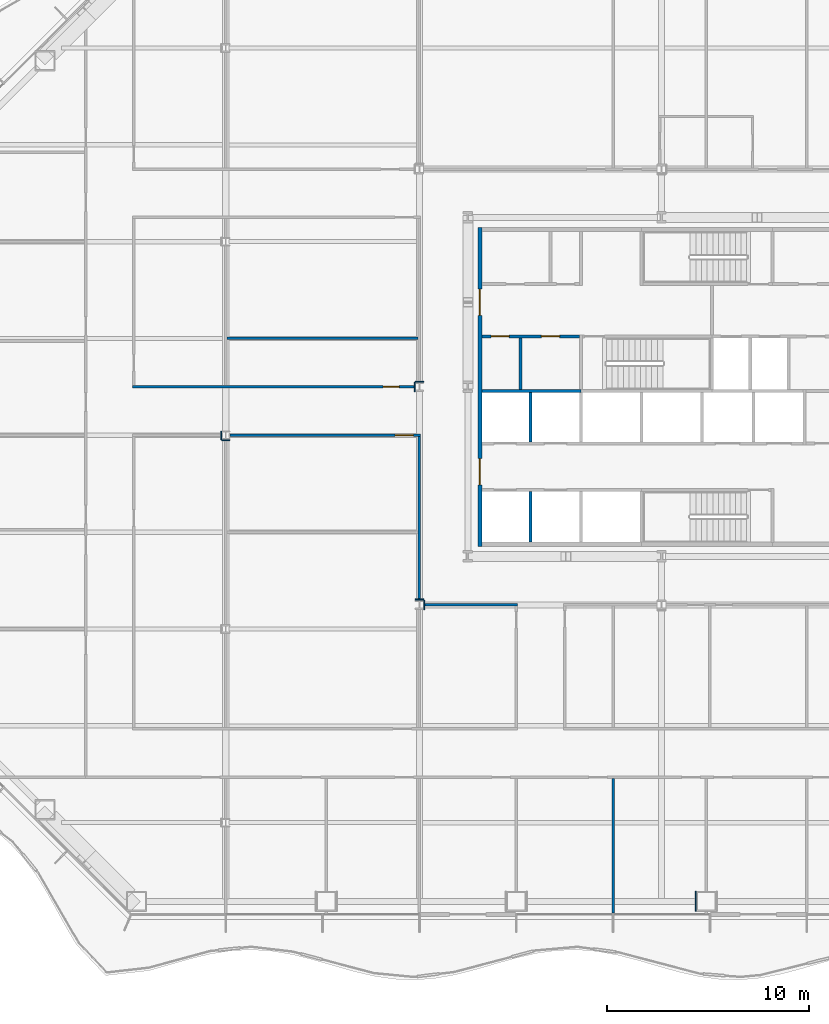
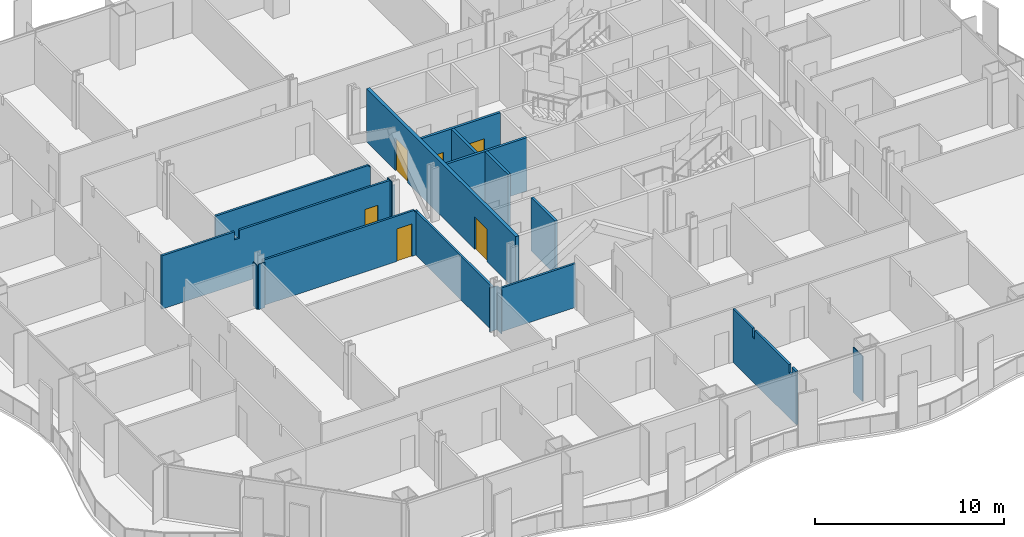
# One storey, part 9 of 21: 19 walls, 6 doors, 6 openings.
"""IFC4 building model written with IfcOpenShell, lengths in metres."""

import ifcopenshell
import ifcopenshell.guid

model = None  # the IFC model being written
_history = None  # IfcOwnerHistory: only IFC2X3 demands one
_inside = {}  # id of a spatial element -> (the spatial element, [elements in it])
_under = {}  # id of a project, library or spatial element -> (it, [spatial elements below it])
_declared = {}  # id of a project -> (the project, [libraries it declares])
_typed = {}  # id of a type object -> (the type object, [elements of that type])
_made_of = {}  # id of a material, layer set ... -> (it, [elements and type objects made of it])


def new_model(schema):
    """Start an empty IFC model of exactly this schema.

    Asked for "IFC4X3", IfcOpenShell would pick the latest addendum, in which some entities
    have other attributes; the version numbers below select the first issue.
    IFC2X3 requires an IfcOwnerHistory on every rooted entity: one is made here for all.
    """
    global model, _history
    if schema == "IFC4X3":
        model = ifcopenshell.file(schema_version=(4, 3, 0, 0))
    else:
        model = ifcopenshell.file(schema=schema)
    _inside.clear()
    _under.clear()
    _declared.clear()
    _typed.clear()
    _made_of.clear()
    _history = None
    if model.schema == "IFC2X3":
        org = make("IfcOrganization", Name="unknown")
        user = make(
            "IfcPersonAndOrganization",
            ThePerson=make("IfcPerson", FamilyName="unknown"),
            TheOrganization=org,
        )
        app = make(
            "IfcApplication",
            ApplicationDeveloper=org,
            Version="unknown",
            ApplicationFullName="unknown",
            ApplicationIdentifier="unknown",
        )
        _history = make(
            "IfcOwnerHistory",
            OwningUser=user,
            OwningApplication=app,
            ChangeAction="ADDED",
            CreationDate=0,
        )
    return model


def make(cls, **values):
    """One entity of the class cls with the attributes given. An attribute that is None is left unset."""
    return model.create_entity(
        cls, **{name: value for name, value in values.items() if value is not None}
    )


def rooted(cls, **values):
    """An entity with a GlobalId (a new one), such as an element, a storey or a relation."""
    return make(cls, GlobalId=ifcopenshell.guid.new(), OwnerHistory=_history, **values)


def si_unit(unit_type, name, prefix=None):
    """IfcSIUnit, for example si_unit("LENGTHUNIT", "METRE", prefix="MILLI")."""
    return make("IfcSIUnit", UnitType=unit_type, Prefix=prefix, Name=name)


def assignment(units):
    """IfcUnitAssignment: the units of a project."""
    return None if units is None else make("IfcUnitAssignment", Units=units)


def point(xyz):
    """IfcCartesianPoint."""
    return None if xyz is None else make("IfcCartesianPoint", Coordinates=xyz)


def direction(xyz):
    """IfcDirection."""
    return None if xyz is None else make("IfcDirection", DirectionRatios=xyz)


def frame(location, z_axis=None, x_axis=None):
    """IfcAxis2Placement3D, a coordinate frame: its origin and axes. An axis left out is left unset."""
    return make(
        "IfcAxis2Placement3D",
        Location=point(location),
        Axis=direction(z_axis),
        RefDirection=direction(x_axis),
    )


def frame_2d(location, x_axis=None):
    """IfcAxis2Placement2D, a coordinate frame in the plane: its origin and x axis."""
    return make(
        "IfcAxis2Placement2D", Location=point(location), RefDirection=direction(x_axis)
    )


def origin():
    """The frame at (0, 0, 0) with its axes left unset."""
    return frame((0.0, 0.0, 0.0))


def place(relative_to, where):
    """IfcLocalPlacement: puts the frame where relative to a parent placement (None: the world)."""
    return make(
        "IfcLocalPlacement", PlacementRelTo=relative_to, RelativePlacement=where
    )


def context(
    kind, dimensions, precision=None, world=None, true_north=None, identifier=None
):
    """IfcGeometricRepresentationContext, for example the 3D "Model" context."""
    return make(
        "IfcGeometricRepresentationContext",
        ContextIdentifier=identifier,
        ContextType=kind,
        CoordinateSpaceDimension=dimensions,
        Precision=precision,
        WorldCoordinateSystem=world,
        TrueNorth=true_north,
    )


def subcontext(parent, identifier, kind, view, scale=None):
    """IfcGeometricRepresentationSubContext, for example "Body" below "Model"."""
    return make(
        "IfcGeometricRepresentationSubContext",
        ContextIdentifier=identifier,
        ContextType=kind,
        ParentContext=parent,
        TargetScale=scale,
        TargetView=view,
    )


def project(units=None, contexts=None):
    """IfcProject with its units and contexts."""
    return rooted(
        "IfcProject",
        Name="project",
        RepresentationContexts=contexts,
        UnitsInContext=assignment(units),
    )


def spatial(cls, under=None, at=None, **own):
    """A site, building, storey or space (cls), placed at a placement, below another one or the project."""
    s = rooted(cls, ObjectPlacement=at, **own)
    if under is not None:
        _under.setdefault(under.id(), (under, []))[1].append(s)
    return s


def polyline(points):
    """IfcPolyline through the points."""
    return make("IfcPolyline", Points=[point(p) for p in points])


def profile(cls, at=None, kind="AREA", **sizes):
    """A parametric profile (cls). Its sizes go by their IFC names, for example OverallWidth=200.0."""
    return make(cls, ProfileType=kind, Position=at, **sizes)


def rectangle(**sizes):
    """IfcRectangleProfileDef."""
    return profile("IfcRectangleProfileDef", **sizes)


def outline(outer, holes=None, kind="AREA"):
    """IfcArbitraryClosedProfileDef: a profile drawn as a closed curve; with holes, ...WithVoids."""
    if holes is None:
        return make("IfcArbitraryClosedProfileDef", ProfileType=kind, OuterCurve=outer)
    return make(
        "IfcArbitraryProfileDefWithVoids",
        ProfileType=kind,
        OuterCurve=outer,
        InnerCurves=holes,
    )


def extrude(swept, where, along, depth):
    """IfcExtrudedAreaSolid: the profile swept, set in the frame where, extruded along a direction by depth."""
    return make(
        "IfcExtrudedAreaSolid",
        SweptArea=swept,
        Position=where,
        ExtrudedDirection=direction(along),
        Depth=depth,
    )


def shape(context_of_items, identifier, shape_type, items):
    """IfcShapeRepresentation: the items that make up one representation, for example the "Body"."""
    return make(
        "IfcShapeRepresentation",
        ContextOfItems=context_of_items,
        RepresentationIdentifier=identifier,
        RepresentationType=shape_type,
        Items=items,
    )


def material(Name=None, Category=None):
    """IfcMaterial."""
    return make("IfcMaterial", Name=Name, Category=Category)


def layer(
    of_material, thickness, ventilated=None, Name=None, Category=None, Priority=None
):
    """IfcMaterialLayer: one layer of a wall or slab, of a material (None: an air gap)."""
    return make(
        "IfcMaterialLayer",
        Material=of_material,
        LayerThickness=thickness,
        IsVentilated=ventilated,
        Name=Name,
        Category=Category,
        Priority=Priority,
    )


def layer_set(layers, Name=None):
    """IfcMaterialLayerSet."""
    return make("IfcMaterialLayerSet", MaterialLayers=layers, LayerSetName=Name)


def made_of(thing, what):
    """Note that an element or type object is made of a material, layer set ...; save() writes the relation."""
    if what is not None:
        _made_of.setdefault(what.id(), (what, []))[1].append(thing)
    return thing


def type_object(cls, material=None, **own):
    """A type object (cls), such as IfcWallType, which elements share."""
    return made_of(rooted(cls, **own), material)


def element(
    cls,
    number,
    at=None,
    inside=None,
    cuts=None,
    type_object=None,
    material=None,
    context=None,
    identifier="Body",
    shape_type=None,
    held_by="IfcProductDefinitionShape",
    body=None,
    shapes=None,
    **own,
):
    """One element of the class cls, such as IfcWall. Its Tag is "e" and its number.

    at: its placement. inside: the storey or other place that contains it. cuts: it is an
    opening in that element (IfcRelVoidsElement). A single representation is given by context,
    identifier, shape_type and body (its items); several are given by shapes. held_by: the class
    of the entity that holds the representations. save() writes the other relations.
    """
    e = rooted(cls, Tag="e%d" % number, ObjectPlacement=at, **own)
    if body is not None:
        shapes = [shape(context, identifier, shape_type, body)]
    if shapes is not None:
        e.Representation = make(held_by, Representations=shapes)
    if inside is not None:
        _inside.setdefault(inside.id(), (inside, []))[1].append(e)
    if cuts is not None:
        rooted(
            "IfcRelVoidsElement", RelatingBuildingElement=cuts, RelatedOpeningElement=e
        )
    if type_object is not None:
        _typed.setdefault(type_object.id(), (type_object, []))[1].append(e)
    return made_of(e, material)


def fill(opening, filler):
    """IfcRelFillsElement: the door or window that sits in an opening."""
    return rooted(
        "IfcRelFillsElement",
        RelatingOpeningElement=opening,
        RelatedBuildingElement=filler,
    )


def aggregate(whole, parts):
    """IfcRelAggregates: a whole, such as a stair, and the parts it consists of."""
    return rooted("IfcRelAggregates", RelatingObject=whole, RelatedObjects=parts)


def save(model, path):
    """Write the relations noted so far, then the file.

    IfcRelAggregates (storeys below a building ...), IfcRelContainedInSpatialStructure (elements
    in a storey), IfcRelDefinesByType, IfcRelAssociatesMaterial and IfcRelDeclares: one each for
    every whole, place, type object, material and project.
    """
    for whole, parts in _under.values():
        aggregate(whole, parts)
    for where, things in _inside.values():
        rooted(
            "IfcRelContainedInSpatialStructure",
            RelatedElements=things,
            RelatingStructure=where,
        )
    for kind, things in _typed.values():
        rooted("IfcRelDefinesByType", RelatedObjects=things, RelatingType=kind)
    for what, things in _made_of.values():
        rooted("IfcRelAssociatesMaterial", RelatedObjects=things, RelatingMaterial=what)
    for by, libraries in _declared.values():
        rooted("IfcRelDeclares", RelatingContext=by, RelatedDefinitions=libraries)
    model.write(path)


model = new_model("IFC4")

# Units and contexts
model_context = context("Model", 3, precision=1e-05, world=origin(), true_north=direction((0.0, 1.0)))
body_context = subcontext(model_context, "Body", "Model", "MODEL_VIEW")
ifc_project = project(units=[si_unit("LENGTHUNIT", "METRE"), si_unit("AREAUNIT", "SQUARE_METRE"), si_unit("VOLUMEUNIT", "CUBIC_METRE"), si_unit("PLANEANGLEUNIT", "RADIAN"), si_unit("MASSUNIT", "GRAM", prefix="KILO")], contexts=[model_context])

# Site, building, storey
site_placement = place(None, origin())
site = spatial("IfcSite", under=ifc_project, at=site_placement, CompositionType="ELEMENT")
building_placement = place(site_placement, origin())
building = spatial("IfcBuilding", under=site, at=building_placement, Name="Cairn Pilgrim Tower", CompositionType="ELEMENT")
storey_placement = place(building_placement, frame((0.0, 0.0, 54.60009765625)))
storey = spatial("IfcBuildingStorey", under=building, at=storey_placement, Name="L11", CompositionType="ELEMENT", Elevation=54.60009765625)

# Wall, openings, doors
ifc_material_1 = material(Name="Concrete C32/40", Category="concrete")
ifc_layer_1 = layer(ifc_material_1, 0.199951171875)
ifc_layer_set_1 = layer_set([ifc_layer_1], Name="CORE OUTER WALL 200 EI 120")
wall_type_1 = type_object("IfcWallType", Name="CORE OUTER WALL 200 EI 120", PredefinedType="SOLIDWALL", material=ifc_layer_set_1)
wall_1_placement = place(storey_placement, frame((-1.800048828125, -5.5, 0.0), z_axis=(0.0, 0.0, 1.0), x_axis=(0.0, 1.0, 0.0)))
wall_1 = element("IfcWall", 1, at=wall_1_placement, inside=storey, type_object=wall_type_1, Name="CW:L11:V12", PredefinedType="SOLIDWALL", context=body_context, shape_type="SweptSolid", body=[
    extrude(rectangle(XDim=15.800048828125, YDim=0.199951171875, at=frame_2d((7.89990234375, 0.0))), origin(), (0.0, 0.0, 1.0), 3.449951171875),
])
opening_1_placement = place(wall_1_placement, frame((3.050048828125, 0.0, 0.0)))
opening_1 = element("IfcOpeningElement", 2, at=opening_1_placement, cuts=wall_1, Name="Opening CD-W1", PredefinedType="OPENING", context=body_context, shape_type="SweptSolid", body=[
    extrude(rectangle(XDim=1.300048828125, YDim=2.10009765625, at=frame_2d((0.64990234375, 1.050048828125))), frame((0.0, 0.10986328125, 0.0), z_axis=(0.0, -1.0, 0.0), x_axis=(1.0, 0.0, 0.0)), (0.0, 0.0, 1.0), 0.219970703125),
])
opening_2_placement = place(wall_1_placement, frame((11.449951171875, 0.0, 0.0)))
opening_2 = element("IfcOpeningElement", 3, at=opening_2_placement, cuts=wall_1, Name="Opening CD-W2", PredefinedType="OPENING", context=body_context, shape_type="SweptSolid", body=[
    extrude(rectangle(XDim=1.300048828125, YDim=2.10009765625, at=frame_2d((0.64990234375, 1.050048828125))), frame((0.0, 0.10986328125, 0.0), z_axis=(0.0, -1.0, 0.0), x_axis=(1.0, 0.0, 0.0)), (0.0, 0.0, 1.0), 0.219970703125),
])
ifc_material_2 = material(Name="Painted steel", Category="steel")
door_type_1 = type_object("IfcDoorType", Name="CORE LOBBY DOOR 1300x2100", OperationType="DOUBLE_DOOR_SINGLE_SWING", PredefinedType="DOOR", material=ifc_material_2)
door_1_placement = place(opening_1_placement, origin())
door_1 = element("IfcDoor", 4, at=door_1_placement, inside=storey, type_object=door_type_1, Name="CD-W1", OperationType="DOUBLE_DOOR_SINGLE_SWING", OverallHeight=2.10009765625, OverallWidth=1.300048828125, PredefinedType="DOOR", context=body_context, shape_type="SweptSolid", body=[
    extrude(rectangle(XDim=1.300048828125, YDim=2.10009765625, at=frame_2d((0.64990234375, 1.050048828125))), frame((0.0, 0.02490234375, 0.0), z_axis=(0.0, -1.0, 0.0), x_axis=(1.0, 0.0, 0.0)), (0.0, 0.0, 1.0), 0.050048828125),
])
fill(opening_1, door_1)
door_2_placement = place(opening_2_placement, origin())
door_2 = element("IfcDoor", 5, at=door_2_placement, inside=storey, type_object=door_type_1, Name="CD-W2", OperationType="DOUBLE_DOOR_SINGLE_SWING", OverallHeight=2.10009765625, OverallWidth=1.300048828125, PredefinedType="DOOR", context=body_context, shape_type="SweptSolid", body=[
    extrude(rectangle(XDim=1.300048828125, YDim=2.10009765625, at=frame_2d((0.64990234375, 1.050048828125))), frame((0.0, 0.02490234375, 0.0), z_axis=(0.0, -1.0, 0.0), x_axis=(1.0, 0.0, 0.0)), (0.0, 0.0, 1.0), 0.050048828125),
])
fill(opening_2, door_2)

ifc_layer_2 = layer(ifc_material_1, 0.14990234375)
ifc_layer_set_2 = layer_set([ifc_layer_2], Name="CORE PARTITION 150 EI 60")
wall_type_2 = type_object("IfcWallType", Name="CORE PARTITION 150 EI 60", PredefinedType="PARTITIONING", material=ifc_layer_set_2)
wall_2_placement = place(storey_placement, frame((-1.699951171875, 4.89990234375, 0.0), z_axis=(0.0, 0.0, 1.0), x_axis=(1.0, 0.0, 0.0)))
wall_2 = element("IfcWall", 6, at=wall_2_placement, inside=storey, type_object=wall_type_2, Name="CW:L11:H07", PredefinedType="PARTITIONING", context=body_context, shape_type="SweptSolid", body=[
    extrude(rectangle(XDim=4.824951171875, YDim=0.14990234375, at=frame_2d((2.41259765625, 0.0))), origin(), (0.0, 0.0, 1.0), 3.449951171875),
])
opening_3_placement = place(wall_2_placement, frame((0.449951171875, 0.0, 0.0)))
opening_3 = element("IfcOpeningElement", 7, at=opening_3_placement, cuts=wall_2, Name="Opening RD-R3W1", PredefinedType="OPENING", context=body_context, shape_type="SweptSolid", body=[
    extrude(rectangle(XDim=0.89990234375, YDim=2.10009765625, at=frame_2d((0.449951171875, 1.050048828125))), frame((0.0, 0.0849609375, 0.0), z_axis=(0.0, -1.0, 0.0), x_axis=(1.0, 0.0, 0.0)), (0.0, 0.0, 1.0), 0.169921875),
])
opening_4_placement = place(wall_2_placement, frame((2.949951171875, 0.0, 0.0)))
opening_4 = element("IfcOpeningElement", 8, at=opening_4_placement, cuts=wall_2, Name="Opening RD-R3W2", PredefinedType="OPENING", context=body_context, shape_type="SweptSolid", body=[
    extrude(rectangle(XDim=0.89990234375, YDim=2.10009765625, at=frame_2d((0.449951171875, 1.050048828125))), frame((0.0, 0.0849609375, 0.0), z_axis=(0.0, -1.0, 0.0), x_axis=(1.0, 0.0, 0.0)), (0.0, 0.0, 1.0), 0.169921875),
])
door_type_2 = type_object("IfcDoorType", Name="SERVICE ROOM DOOR 900x2100", OperationType="SINGLE_SWING_LEFT", PredefinedType="DOOR", material=ifc_material_2)
door_3_placement = place(opening_3_placement, origin())
door_3 = element("IfcDoor", 9, at=door_3_placement, inside=storey, type_object=door_type_2, Name="RD-R3W1", OperationType="SINGLE_SWING_LEFT", OverallHeight=2.10009765625, OverallWidth=0.89990234375, PredefinedType="DOOR", context=body_context, shape_type="SweptSolid", body=[
    extrude(rectangle(XDim=0.89990234375, YDim=2.10009765625, at=frame_2d((0.449951171875, 1.050048828125))), frame((0.0, 0.02490234375, 0.0), z_axis=(0.0, -1.0, 0.0), x_axis=(1.0, 0.0, 0.0)), (0.0, 0.0, 1.0), 0.050048828125),
])
fill(opening_3, door_3)
door_4_placement = place(opening_4_placement, origin())
door_4 = element("IfcDoor", 10, at=door_4_placement, inside=storey, type_object=door_type_2, Name="RD-R3W2", OperationType="SINGLE_SWING_RIGHT", OverallHeight=2.10009765625, OverallWidth=0.89990234375, PredefinedType="DOOR", context=body_context, shape_type="SweptSolid", body=[
    extrude(rectangle(XDim=0.89990234375, YDim=2.10009765625, at=frame_2d((0.449951171875, 1.050048828125))), frame((0.0, 0.02490234375, 0.0), z_axis=(0.0, -1.0, 0.0), x_axis=(1.0, 0.0, 0.0)), (0.0, 0.0, 1.0), 0.050048828125),
])
fill(opening_4, door_4)

# Walls
wall_3_placement = place(storey_placement, frame((0.199951171875, 2.27490234375, 0.0), z_axis=(0.0, 0.0, 1.0), x_axis=(0.0, 1.0, 0.0)))
element("IfcWall", 11, at=wall_3_placement, inside=storey, type_object=wall_type_2, Name="CW:L11:V13", PredefinedType="PARTITIONING", context=body_context, shape_type="SweptSolid", body=[
    extrude(rectangle(XDim=2.550048828125, YDim=0.14990234375, at=frame_2d((1.27490234375, 0.0))), origin(), (0.0, 0.0, 1.0), 3.449951171875),
])
ifc_layer_3 = layer(ifc_material_1, 0.14990234375)
ifc_layer_set_3 = layer_set([ifc_layer_3], Name="CORE SHAFT WALL 150 EI 120")
wall_type_3 = type_object("IfcWallType", Name="CORE SHAFT WALL 150 EI 120", PredefinedType="SOLIDWALL", material=ifc_layer_set_3)
wall_4_placement = place(storey_placement, frame((-1.699951171875, 2.199951171875, 0.0), z_axis=(0.0, 0.0, 1.0), x_axis=(1.0, 0.0, 0.0)))
element("IfcWall", 12, at=wall_4_placement, inside=storey, type_object=wall_type_3, Name="CW:L11:H05-1", PredefinedType="SOLIDWALL", context=body_context, shape_type="SweptSolid", body=[
    extrude(rectangle(XDim=4.89990234375, YDim=0.14990234375, at=frame_2d((2.449951171875, 0.0))), origin(), (0.0, 0.0, 1.0), 3.449951171875),
])
wall_5_placement = place(storey_placement, frame((0.699951171875, -5.300048828125, 0.0), z_axis=(0.0, 0.0, 1.0), x_axis=(0.0, 1.0, 0.0)))
element("IfcWall", 13, at=wall_5_placement, inside=storey, type_object=wall_type_3, Name="CW:L11:V14", PredefinedType="SOLIDWALL", context=body_context, shape_type="SweptSolid", body=[
    extrude(rectangle(XDim=2.525146484375, YDim=0.14990234375, at=frame_2d((1.2626953125, 0.0))), origin(), (0.0, 0.0, 1.0), 3.449951171875),
])
wall_6_placement = place(storey_placement, frame((0.699951171875, -0.324951171875, 0.0), z_axis=(0.0, 0.0, 1.0), x_axis=(0.0, 1.0, 0.0)))
element("IfcWall", 14, at=wall_6_placement, inside=storey, type_object=wall_type_3, Name="CW:L11:V15", PredefinedType="SOLIDWALL", context=body_context, shape_type="SweptSolid", body=[
    extrude(rectangle(XDim=2.449951171875, YDim=0.14990234375, at=frame_2d((1.22509765625, 0.0))), origin(), (0.0, 0.0, 1.0), 3.449951171875),
])
ifc_material_3 = material(Name="Gypsum partition")
ifc_layer_4 = layer(ifc_material_3, 0.125)
ifc_layer_set_4 = layer_set([ifc_layer_4], Name="PARTITION 125 DRYWALL EI 60")
wall_type_4 = type_object("IfcWallType", Name="PARTITION 125 DRYWALL EI 60", PredefinedType="PARTITIONING", material=ifc_layer_set_4)
wall_7_placement = place(storey_placement, frame((4.800048828125, -23.68994140625, 0.0), z_axis=(0.0, 0.0, 1.0), x_axis=(0.0, 1.0, 0.0)))
element("IfcWall", 15, at=wall_7_placement, inside=storey, type_object=wall_type_4, Name="PARTITION W004", PredefinedType="PARTITIONING", context=body_context, shape_type="SweptSolid", body=[
    extrude(outline(polyline([(0.0, 0.0), (6.677490234375, 0.0), (6.677490234375, 3.449951171875), (4.594970703125, 3.449951171875), (4.593017578125, 2.8798828125), (4.385009765625, 2.8798828125), (4.383056640625, 3.449951171875), (0.739990234375, 3.449951171875), (0.738037109375, 2.929931640625), (0.43994140625, 2.929931640625), (0.43798828125, 3.449951171875), (0.0, 3.449951171875), (0.0, 0.0)])), frame((0.0, 0.0625, 0.0), z_axis=(0.0, -1.0, 0.0), x_axis=(1.0, 0.0, 0.0)), (0.0, 0.0, 1.0), 0.125),
])
wall_8_placement = place(storey_placement, frame((-4.587890625, -8.39990234375, 0.0), z_axis=(0.0, 0.0, 1.0), x_axis=(1.0, 0.0, 0.0)))
element("IfcWall", 16, at=wall_8_placement, inside=storey, type_object=wall_type_4, Name="PARTITION W031", PredefinedType="PARTITIONING", context=body_context, shape_type="SweptSolid", body=[
    extrude(rectangle(XDim=4.650390625, YDim=0.125, at=frame_2d((2.3251953125, 0.0))), origin(), (0.0, 0.0, 1.0), 2.829833984375),
])
wall_9_placement = place(storey_placement, frame((-4.800048828125, -8.1630859375, 0.0), z_axis=(0.0, 0.0, 1.0), x_axis=(0.0, 1.0, 0.0)))
element("IfcWall", 17, at=wall_9_placement, inside=storey, type_object=wall_type_4, Name="PARTITION W034", PredefinedType="PARTITIONING", context=body_context, shape_type="SweptSolid", body=[
    extrude(rectangle(XDim=8.1005859375, YDim=0.125, at=frame_2d((4.05029296875, 0.0))), origin(), (0.0, 0.0, 1.0), 2.829833984375),
])

# Wall, opening, door
wall_10_placement = place(storey_placement, frame((-14.195556640625, 0.0, 0.0), z_axis=(0.0, 0.0, 1.0), x_axis=(1.0, 0.0, 0.0)))
wall_10 = element("IfcWall", 18, at=wall_10_placement, inside=storey, type_object=wall_type_4, Name="PARTITION W046", PredefinedType="PARTITIONING", context=body_context, shape_type="SweptSolid", body=[
    extrude(outline(polyline([(0.0, 0.0), (9.4580078125, 0.0), (9.4580078125, 2.829833984375), (9.24560546875, 2.829833984375), (9.243408203125, 2.929931640625), (0.0, 2.929931640625), (0.0, 0.0)])), frame((0.0, 0.0625, 0.0), z_axis=(0.0, -1.0, 0.0), x_axis=(1.0, 0.0, 0.0)), (0.0, 0.0, 1.0), 0.125),
])
opening_5_placement = place(wall_10_placement, frame((8.195556640625, 0.0, 0.0)))
opening_5 = element("IfcOpeningElement", 19, at=opening_5_placement, cuts=wall_10, Name="Opening 1129", PredefinedType="OPENING", context=body_context, shape_type="SweptSolid", body=[
    extrude(rectangle(XDim=0.89990234375, YDim=2.10009765625, at=frame_2d((0.449951171875, 1.050048828125))), frame((0.0, 0.072509765625, 0.0), z_axis=(0.0, -1.0, 0.0), x_axis=(1.0, 0.0, 0.0)), (0.0, 0.0, 1.0), 0.14501953125),
])
ifc_material_4 = material(Name="Steel-faced fire door leaf", Category="steel")
door_type_3 = type_object("IfcDoorType", Name="FIRE DOOR 900x2100 FD30S", OperationType="NOTDEFINED", PredefinedType="DOOR", material=ifc_material_4)
door_5_placement = place(opening_5_placement, frame((0.89990234375, 0.0, 0.0), z_axis=(0.0, 0.0, 1.0), x_axis=(-1.0, 0.0, 0.0)))
door_5 = element("IfcDoor", 20, at=door_5_placement, inside=storey, type_object=door_type_3, Name="DOOR 1129", OperationType="SINGLE_SWING_RIGHT", OverallHeight=2.10009765625, OverallWidth=0.89990234375, PredefinedType="DOOR", context=body_context, shape_type="SweptSolid", body=[
    extrude(rectangle(XDim=0.89990234375, YDim=2.10009765625, at=frame_2d((0.449951171875, 1.050048828125))), frame((0.0, 0.02490234375, 0.0), z_axis=(0.0, -1.0, 0.0), x_axis=(1.0, 0.0, 0.0)), (0.0, 0.0, 1.0), 0.050048828125),
])
fill(opening_5, door_5)

wall_11_placement = place(storey_placement, frame((-19.012451171875, 2.39990234375, 0.0), z_axis=(0.0, 0.0, 1.0), x_axis=(1.0, 0.0, 0.0)))
wall_11 = element("IfcWall", 21, at=wall_11_placement, inside=storey, type_object=wall_type_4, Name="PARTITION W050", PredefinedType="PARTITIONING", context=body_context, shape_type="SweptSolid", body=[
    extrude(outline(polyline([(0.0, 0.0), (14.00048828125, 0.0), (14.00048828125, 3.449951171875), (4.762451171875, 3.449951171875), (4.760498046875, 2.929931640625), (4.46240234375, 2.929931640625), (4.46044921875, 3.449951171875), (0.0, 3.449951171875), (0.0, 0.0)])), frame((0.0, 0.0625, 0.0), z_axis=(0.0, -1.0, 0.0), x_axis=(1.0, 0.0, 0.0)), (0.0, 0.0, 1.0), 0.125),
])
opening_6_placement = place(wall_11_placement, frame((12.41259765625, 0.0, 0.0)))
opening_6 = element("IfcOpeningElement", 22, at=opening_6_placement, cuts=wall_11, Name="Opening 1130", PredefinedType="OPENING", context=body_context, shape_type="SweptSolid", body=[
    extrude(rectangle(XDim=0.800048828125, YDim=2.10009765625, at=frame_2d((0.39990234375, 1.050048828125))), frame((0.0, 0.072509765625, 0.0), z_axis=(0.0, -1.0, 0.0), x_axis=(1.0, 0.0, 0.0)), (0.0, 0.0, 1.0), 0.14501953125),
])
door_type_4 = type_object("IfcDoorType", Name="FIRE DOOR 800x2100 FD30S", OperationType="NOTDEFINED", PredefinedType="DOOR", material=ifc_material_4)
door_6_placement = place(opening_6_placement, origin())
door_6 = element("IfcDoor", 23, at=door_6_placement, inside=storey, type_object=door_type_4, Name="DOOR 1130", OperationType="SINGLE_SWING_LEFT", OverallHeight=2.10009765625, OverallWidth=0.800048828125, PredefinedType="DOOR", context=body_context, shape_type="SweptSolid", body=[
    extrude(rectangle(XDim=0.800048828125, YDim=2.10009765625, at=frame_2d((0.39990234375, 1.050048828125))), frame((0.0, 0.02490234375, 0.0), z_axis=(0.0, -1.0, 0.0), x_axis=(1.0, 0.0, 0.0)), (0.0, 0.0, 1.0), 0.050048828125),
])
fill(opening_6, door_6)

# Walls
wall_12_placement = place(storey_placement, frame((-14.33740234375, 4.800048828125, 0.0), z_axis=(0.0, 0.0, 1.0), x_axis=(1.0, 0.0, 0.0)))
element("IfcWall", 24, at=wall_12_placement, inside=storey, type_object=wall_type_4, Name="PARTITION W059", PredefinedType="PARTITIONING", context=body_context, shape_type="SweptSolid", body=[
    extrude(outline(polyline([(0.0, 0.0), (9.474853515625, 0.0), (9.47509765625, 2.829833984375), (9.387451171875, 2.829833984375), (9.385498046875, 2.929931640625), (0.0, 2.929931640625), (0.0, 0.0)])), frame((0.0, 0.0625, 0.0), z_axis=(0.0, -1.0, 0.0), x_axis=(1.0, 0.0, 0.0)), (0.0, 0.0, 1.0), 0.125),
])
ifc_layer_5 = layer(ifc_material_3, 0.050048828125)
ifc_layer_set_5 = layer_set([ifc_layer_5], Name="PARTITION 50 DRYWALL EI 60")
wall_type_5 = type_object("IfcWallType", Name="PARTITION 50 DRYWALL EI 60", PredefinedType="PARTITIONING", material=ifc_layer_set_5)
wall_13_placement = place(storey_placement, frame((8.888671875, -23.60009765625, 0.0), z_axis=(0.0, 0.0, 1.0), x_axis=(0.0, 1.0, 0.0)))
element("IfcWall", 25, at=wall_13_placement, inside=storey, type_object=wall_type_5, Name="COLUMN CASING WC06", PredefinedType="PARTITIONING", context=body_context, shape_type="SweptSolid", body=[
    extrude(rectangle(XDim=1.0, YDim=0.050048828125, at=frame_2d((0.5, 0.0))), origin(), (0.0, 0.0, 1.0), 2.929931640625),
])
wall_14_placement = place(storey_placement, frame((-14.62939453125, -0.21240234375, 0.0), z_axis=(0.0, 0.0, 1.0), x_axis=(0.0, 1.0, 0.0)))
element("IfcWall", 26, at=wall_14_placement, inside=storey, type_object=wall_type_5, Name="COLUMN CASING WC13", PredefinedType="PARTITIONING", context=body_context, shape_type="SweptSolid", body=[
    extrude(rectangle(XDim=0.4248046875, YDim=0.050048828125, at=frame_2d((0.21240234375, 0.0))), origin(), (0.0, 0.0, 1.0), 2.829833984375),
])
wall_15_placement = place(storey_placement, frame((-4.56298828125, -8.636962890625, 0.0), z_axis=(0.0, 0.0, 1.0), x_axis=(0.0, 1.0, 0.0)))
element("IfcWall", 27, at=wall_15_placement, inside=storey, type_object=wall_type_5, Name="COLUMN CASING WC14", PredefinedType="PARTITIONING", context=body_context, shape_type="SweptSolid", body=[
    extrude(rectangle(XDim=0.473876953125, YDim=0.050048828125, at=frame_2d((0.23681640625, 0.0))), origin(), (0.0, 0.0, 1.0), 2.829833984375),
])
wall_16_placement = place(storey_placement, frame((-5.011962890625, -8.137939453125, 0.0), z_axis=(0.0, 0.0, 1.0), x_axis=(1.0, 0.0, 0.0)))
element("IfcWall", 28, at=wall_16_placement, inside=storey, type_object=wall_type_5, Name="COLUMN CASING WC15", PredefinedType="PARTITIONING", context=body_context, shape_type="SweptSolid", body=[
    extrude(rectangle(XDim=0.424072265625, YDim=0.050048828125, at=frame_2d((0.2119140625, 0.0))), origin(), (0.0, 0.0, 1.0), 2.829833984375),
])
wall_17_placement = place(storey_placement, frame((-14.6044921875, -0.237548828125, 0.0), z_axis=(0.0, 0.0, 1.0), x_axis=(1.0, 0.0, 0.0)))
element("IfcWall", 29, at=wall_17_placement, inside=storey, type_object=wall_type_5, Name="COLUMN CASING WC21", PredefinedType="PARTITIONING", context=body_context, shape_type="SweptSolid", body=[
    extrude(rectangle(XDim=0.408935546875, YDim=0.050048828125, at=frame_2d((0.20458984375, 0.0))), origin(), (0.0, 0.0, 1.0), 2.929931640625),
])
wall_18_placement = place(storey_placement, frame((-5.011962890625, 2.662109375, 0.0), z_axis=(0.0, 0.0, 1.0), x_axis=(1.0, 0.0, 0.0)))
element("IfcWall", 30, at=wall_18_placement, inside=storey, type_object=wall_type_5, Name="COLUMN CASING WC23", PredefinedType="PARTITIONING", context=body_context, shape_type="SweptSolid", body=[
    extrude(rectangle(XDim=0.424072265625, YDim=0.050048828125, at=frame_2d((0.2119140625, 0.0))), origin(), (0.0, 0.0, 1.0), 2.829833984375),
])
wall_19_placement = place(storey_placement, frame((-5.037109375, 2.1630859375, 0.0), z_axis=(0.0, 0.0, 1.0), x_axis=(0.0, 1.0, 0.0)))
element("IfcWall", 31, at=wall_19_placement, inside=storey, type_object=wall_type_5, Name="COLUMN CASING WC25", PredefinedType="PARTITIONING", context=body_context, shape_type="SweptSolid", body=[
    extrude(rectangle(XDim=0.473876953125, YDim=0.050048828125, at=frame_2d((0.23681640625, 0.0))), origin(), (0.0, 0.0, 1.0), 3.449951171875),
])

save(model, "model.ifc")
